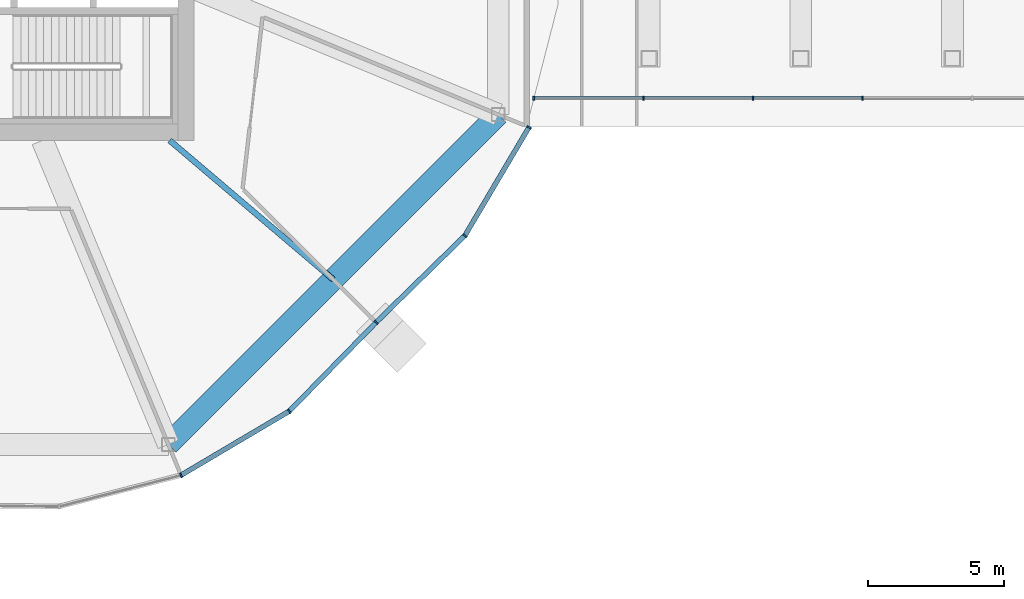
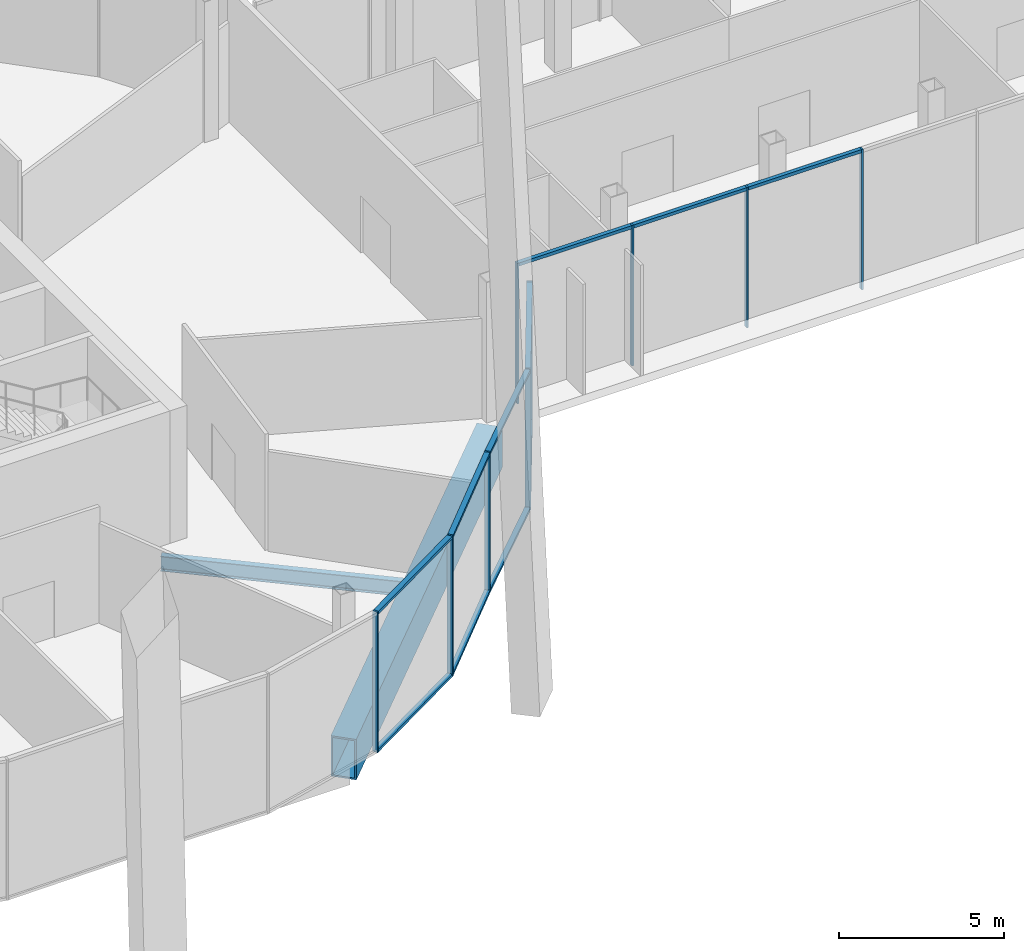
# One storey, part 5 of 28: 20 members, 2 beams, 3 elements without a shape of their own.
"""IFC4 building model written with IfcOpenShell, lengths in metres."""

from ifc_helpers import new_model, si_unit, direction, frame, origin, origin_2d, place, context, subcontext, project, spatial, rectangle, hollow_rectangle, i_section, extrude, material, material_profile, profile_set, type_object, element, aggregate, save


model = new_model("IFC4")

# Units and contexts
model_context = context("Model", 3, precision=1e-05, world=origin(), true_north=direction((0.0, 1.0)))
body_context = subcontext(model_context, "Body", "Model", "MODEL_VIEW")
ifc_project = project(units=[si_unit("LENGTHUNIT", "METRE"), si_unit("AREAUNIT", "SQUARE_METRE"), si_unit("VOLUMEUNIT", "CUBIC_METRE"), si_unit("PLANEANGLEUNIT", "RADIAN"), si_unit("MASSUNIT", "GRAM", prefix="KILO")], contexts=[model_context])

# Site, building, storey
site_placement = place(None, origin())
site = spatial("IfcSite", under=ifc_project, at=site_placement, CompositionType="ELEMENT")
building_placement = place(site_placement, origin())
building = spatial("IfcBuilding", under=site, at=building_placement, Name="Ogive Gate Towers", CompositionType="ELEMENT")
storey_placement = place(building_placement, frame((0.0, 0.0, 135.60009765625)))
storey = spatial("IfcBuildingStorey", under=building, at=storey_placement, Name="L32", CompositionType="ELEMENT", Elevation=135.60009765625)

# Beam
ifc_material_1 = material(Name="Steel SM460", Category="steel")
ifc_material_profile_1 = material_profile(ifc_material_1, hollow_rectangle(XDim=0.800048828125, YDim=1.5, WallThickness=0.06005859375, at=origin_2d()), Name="BX 1500x800x60")
ifc_profile_set_1 = profile_set([ifc_material_profile_1], Name="Steel SM460")
beam_type_1 = type_object("IfcBeamType", Name="Edge girder BX 1500x800x60", PredefinedType="BEAM", material=ifc_profile_set_1)
beam_1_placement = place(storey_placement, frame((-27.450927734375, -20.639404296875, -1.050048828125), z_axis=(0.707106781187, 0.707106781187, 0.0), x_axis=(-0.707106781187, 0.707106781187, 0.0)))
element("IfcBeam", 1, at=beam_1_placement, inside=storey, type_object=beam_type_1, Name="T1/L32/SBM019", PredefinedType="BEAM", context=body_context, shape_type="SweptSolid", body=[
    extrude(hollow_rectangle(XDim=0.800048828125, YDim=1.5, WallThickness=0.06005859375, at=origin_2d()), origin(), (0.0, 0.0, 1.0), 17.098388671875),
])

# Curtain wall, members
ifc_material_2 = material(Name="Pale metal aluminium", Category="aluminium")
curtain_wall_type_1 = type_object("IfcCurtainWallType", Name="Gate block facade", PredefinedType="NOTDEFINED", material=ifc_material_2)
curtain_wall_1_placement = place(storey_placement, origin())
curtain_wall_1 = element("IfcCurtainWall", 2, at=curtain_wall_1_placement, inside=storey, type_object=curtain_wall_type_1, Name="CW3 BR ECW01", PredefinedType="NOTDEFINED")
ifc_material_profile_2 = material_profile(ifc_material_2, rectangle(XDim=0.139892578125, YDim=0.06005859375, at=origin_2d()), Name="60 x 140 aluminium box")
ifc_profile_set_2 = profile_set([ifc_material_profile_2], Name="Pale metal aluminium")
member_type_1 = type_object("IfcMemberType", Name="Gate block facade mullion 60 x 140", PredefinedType="MULLION", material=ifc_profile_set_2)
member_1_placement = place(storey_placement, frame((-14.06005859375, -7.95166015625, -0.300048828125), z_axis=(0.0, 0.0, 1.0), x_axis=(0.0, -1.0, 0.0)))
member_1 = element("IfcMember", 3, at=member_1_placement, type_object=member_type_1, Name="CW3 mullion", PredefinedType="MULLION", context=body_context, shape_type="SweptSolid", body=[
    extrude(rectangle(XDim=0.139892578125, YDim=0.06005859375, at=origin_2d()), origin(), (0.0, 0.0, 1.0), 5.199951171875),
])
member_2_placement = place(storey_placement, frame((-10.04296875, -7.95166015625, -0.300048828125), z_axis=(0.0, 0.0, 1.0), x_axis=(0.0, -1.0, 0.0)))
member_2 = element("IfcMember", 4, at=member_2_placement, type_object=member_type_1, Name="CW3 mullion", PredefinedType="MULLION", context=body_context, shape_type="SweptSolid", body=[
    extrude(rectangle(XDim=0.139892578125, YDim=0.06005859375, at=origin_2d()), origin(), (0.0, 0.0, 1.0), 5.199951171875),
])
member_3_placement = place(storey_placement, frame((-6.025634765625, -7.95166015625, -0.300048828125), z_axis=(0.0, 0.0, 1.0), x_axis=(0.0, -1.0, 0.0)))
member_3 = element("IfcMember", 5, at=member_3_placement, type_object=member_type_1, Name="CW3 mullion", PredefinedType="MULLION", context=body_context, shape_type="SweptSolid", body=[
    extrude(rectangle(XDim=0.139892578125, YDim=0.06005859375, at=origin_2d()), origin(), (0.0, 0.0, 1.0), 5.199951171875),
])
member_4_placement = place(storey_placement, frame((-2.008544921875, -7.95166015625, -0.300048828125), z_axis=(0.0, 0.0, 1.0), x_axis=(0.0, -1.0, 0.0)))
member_4 = element("IfcMember", 6, at=member_4_placement, type_object=member_type_1, Name="CW3 mullion", PredefinedType="MULLION", context=body_context, shape_type="SweptSolid", body=[
    extrude(rectangle(XDim=0.139892578125, YDim=0.06005859375, at=origin_2d()), origin(), (0.0, 0.0, 1.0), 5.199951171875),
])
ifc_material_profile_3 = material_profile(ifc_material_2, rectangle(XDim=0.139892578125, YDim=0.1201171875, at=origin_2d()), Name="120 x 140 aluminium box")
ifc_profile_set_3 = profile_set([ifc_material_profile_3], Name="Pale metal aluminium")
member_type_2 = type_object("IfcMemberType", Name="Gate block facade transom 120 x 140", PredefinedType="USERDEFINED", material=ifc_profile_set_3)
member_5_placement = place(storey_placement, frame((-14.030029296875, -7.95166015625, 4.83984375), z_axis=(1.0, 0.0, 0.0), x_axis=(0.0, 1.0, 0.0)))
member_5 = element("IfcMember", 7, at=member_5_placement, type_object=member_type_2, Name="CW3 transom", ObjectType="TRANSOM", PredefinedType="USERDEFINED", context=body_context, shape_type="SweptSolid", body=[
    extrude(rectangle(XDim=0.139892578125, YDim=0.1201171875, at=origin_2d()), origin(), (0.0, 0.0, 1.0), 3.95703125),
])
member_6_placement = place(storey_placement, frame((-10.012939453125, -7.95166015625, 4.83984375), z_axis=(1.0, 0.0, 0.0), x_axis=(0.0, 1.0, 0.0)))
member_6 = element("IfcMember", 8, at=member_6_placement, type_object=member_type_2, Name="CW3 transom", ObjectType="TRANSOM", PredefinedType="USERDEFINED", context=body_context, shape_type="SweptSolid", body=[
    extrude(rectangle(XDim=0.139892578125, YDim=0.1201171875, at=origin_2d()), origin(), (0.0, 0.0, 1.0), 3.957275390625),
])
member_7_placement = place(storey_placement, frame((-5.99560546875, -7.95166015625, 4.83984375), z_axis=(1.0, 0.0, 0.0), x_axis=(0.0, 1.0, 0.0)))
member_7 = element("IfcMember", 9, at=member_7_placement, type_object=member_type_2, Name="CW3 transom", ObjectType="TRANSOM", PredefinedType="USERDEFINED", context=body_context, shape_type="SweptSolid", body=[
    extrude(rectangle(XDim=0.139892578125, YDim=0.1201171875, at=origin_2d()), origin(), (0.0, 0.0, 1.0), 3.95703125),
])
aggregate(curtain_wall_1, [member_1, member_2, member_5, member_3, member_6, member_4, member_7])

# Beam
ifc_material_3 = material(Name="Steel SM355", Category="steel")
ifc_material_profile_4 = material_profile(ifc_material_3, i_section(OverallWidth=0.2099609375, OverallDepth=0.550048828125, WebThickness=0.010986328125, FlangeThickness=0.01708984375, FilletRadius=0.02392578125, at=origin_2d()), Name="IPE 550")
ifc_profile_set_4 = profile_set([ifc_material_profile_4], Name="Steel SM355")
beam_type_2 = type_object("IfcBeamType", Name="Radial floor beam IPE 550", PredefinedType="BEAM", material=ifc_profile_set_4)
beam_2_placement = place(storey_placement, frame((-27.39990234375, -9.5, -0.5751953125), z_axis=(0.761988324045, -0.647590761222, 0.0), x_axis=(0.647590761222, 0.761988324045, 0.0)))
element("IfcBeam", 10, at=beam_2_placement, inside=storey, type_object=beam_type_2, Name="T1/L32/SBM006", PredefinedType="BEAM", context=body_context, shape_type="SweptSolid", body=[
    extrude(i_section(OverallWidth=0.2099609375, OverallDepth=0.550048828125, WebThickness=0.010986328125, FlangeThickness=0.01708984375, FilletRadius=0.02392578125, at=origin_2d()), origin(), (0.0, 0.0, 1.0), 7.866455078125),
])

# Curtain wall, members
curtain_wall_type_2 = type_object("IfcCurtainWallType", Name="Tower unitised wall, high zone", PredefinedType="NOTDEFINED", material=ifc_material_2)
curtain_wall_2_placement = place(storey_placement, origin())
curtain_wall_2 = element("IfcCurtainWall", 11, at=curtain_wall_2_placement, inside=storey, type_object=curtain_wall_type_2, Name="CW2 T1 ECW07", PredefinedType="NOTDEFINED")
ifc_material_profile_5 = material_profile(ifc_material_2, rectangle(XDim=0.179931640625, YDim=0.06005859375, at=origin_2d()), Name="60 x 180 aluminium box")
ifc_profile_set_5 = profile_set([ifc_material_profile_5], Name="Pale metal aluminium")
member_type_3 = type_object("IfcMemberType", Name="Tower unitised wall, high zone mullion 60 x 180", PredefinedType="MULLION", material=ifc_profile_set_5)
member_8_placement = place(storey_placement, frame((-26.983642578125, -21.767578125, -0.300048828125), z_axis=(0.0, 0.0, 1.0), x_axis=(0.382683432365, -0.923879532511, 0.0)))
member_8 = element("IfcMember", 12, at=member_8_placement, type_object=member_type_3, Name="CW2 mullion", PredefinedType="MULLION", context=body_context, shape_type="SweptSolid", body=[
    extrude(rectangle(XDim=0.179931640625, YDim=0.06005859375, at=origin_2d()), origin(), (0.0, 0.0, 1.0), 5.199951171875),
])
member_9_placement = place(storey_placement, frame((-23.015869140625, -19.419677734375, -0.300048828125), z_axis=(0.0, 0.0, 1.0), x_axis=(0.617585109014, -0.78650405792, 0.0)))
member_9 = element("IfcMember", 13, at=member_9_placement, type_object=member_type_3, Name="CW2 mullion", PredefinedType="MULLION", context=body_context, shape_type="SweptSolid", body=[
    extrude(rectangle(XDim=0.179931640625, YDim=0.06005859375, at=origin_2d()), origin(), (0.0, 0.0, 1.0), 5.199951171875),
])
member_10_placement = place(storey_placement, frame((-19.835693359375, -16.16455078125, -0.300048828125), z_axis=(0.0, 0.0, 1.0), x_axis=(0.715302553421, -0.698814894711, 0.0)))
member_10 = element("IfcMember", 14, at=member_10_placement, type_object=member_type_3, Name="CW2 mullion", PredefinedType="MULLION", context=body_context, shape_type="SweptSolid", body=[
    extrude(rectangle(XDim=0.179931640625, YDim=0.06005859375, at=origin_2d()), origin(), (0.0, 0.0, 1.0), 5.199951171875),
])

curtain_wall_3_placement = place(storey_placement, origin())
curtain_wall_3 = element("IfcCurtainWall", 15, at=curtain_wall_3_placement, inside=storey, type_object=curtain_wall_type_2, Name="CW2 T1 ECW08", PredefinedType="NOTDEFINED")
member_11_placement = place(storey_placement, frame((-16.580322265625, -12.984130859375, -0.300048828125), z_axis=(0.0, 0.0, 1.0), x_axis=(0.78650405792, -0.617585109014, 0.0)))
member_11 = element("IfcMember", 16, at=member_11_placement, type_object=member_type_3, Name="CW2 mullion", PredefinedType="MULLION", context=body_context, shape_type="SweptSolid", body=[
    extrude(rectangle(XDim=0.179931640625, YDim=0.06005859375, at=origin_2d()), origin(), (0.0, 0.0, 1.0), 5.199951171875),
])
member_12_placement = place(storey_placement, frame((-14.231689453125, -9.01513671875, -0.300048828125), z_axis=(0.0, 0.0, 1.0), x_axis=(0.860626507016, -0.509236698817, 0.0)))
member_12 = element("IfcMember", 17, at=member_12_placement, type_object=member_type_3, Name="CW2 mullion", PredefinedType="MULLION", context=body_context, shape_type="SweptSolid", body=[
    extrude(rectangle(XDim=0.179931640625, YDim=0.06005859375, at=origin_2d()), origin(), (0.0, 0.0, 1.0), 5.199951171875),
])

# Member
ifc_material_profile_6 = material_profile(ifc_material_2, rectangle(XDim=0.179931640625, YDim=0.10009765625, at=origin_2d()), Name="100 x 180 aluminium box")
ifc_profile_set_6 = profile_set([ifc_material_profile_6], Name="Pale metal aluminium")
member_type_4 = type_object("IfcMemberType", Name="Tower unitised wall, high zone transom 100 x 180", PredefinedType="USERDEFINED", material=ifc_profile_set_6)
member_13_placement = place(storey_placement, frame((-26.958984375, -21.7529296875, 4.849853515625), z_axis=(0.860623205128, 0.509242279072, 0.0), x_axis=(-0.509242279072, 0.860623205128, 0.0)))
member_13 = element("IfcMember", 18, at=member_13_placement, type_object=member_type_4, Name="CW2 transom", ObjectType="TRANSOM", PredefinedType="USERDEFINED", context=body_context, shape_type="SweptSolid", body=[
    extrude(rectangle(XDim=0.179931640625, YDim=0.10009765625, at=origin_2d()), origin(), (0.0, 0.0, 1.0), 4.552978515625),
])

member_14_placement = place(storey_placement, frame((-26.958984375, -21.7529296875, -0.25), z_axis=(0.860623205128, 0.509242279072, 0.0), x_axis=(-0.509242279072, 0.860623205128, 0.0)))
member_14 = element("IfcMember", 19, at=member_14_placement, type_object=member_type_4, Name="CW2 transom", ObjectType="TRANSOM", PredefinedType="USERDEFINED", context=body_context, shape_type="SweptSolid", body=[
    extrude(rectangle(XDim=0.179931640625, YDim=0.10009765625, at=origin_2d()), origin(), (0.0, 0.0, 1.0), 4.552978515625),
])

member_15_placement = place(storey_placement, frame((-22.995849609375, -19.399169921875, 4.849853515625), z_axis=(0.698824901498, 0.715292777152, 0.0), x_axis=(-0.715292777152, 0.698824901498, 0.0)))
member_15 = element("IfcMember", 20, at=member_15_placement, type_object=member_type_4, Name="CW2 transom", ObjectType="TRANSOM", PredefinedType="USERDEFINED", context=body_context, shape_type="SweptSolid", body=[
    extrude(rectangle(XDim=0.179931640625, YDim=0.10009765625, at=origin_2d()), origin(), (0.0, 0.0, 1.0), 4.491943359375),
])

member_16_placement = place(storey_placement, frame((-22.995849609375, -19.399169921875, -0.25), z_axis=(0.698824901498, 0.715292777152, 0.0), x_axis=(-0.715292777152, 0.698824901498, 0.0)))
member_16 = element("IfcMember", 21, at=member_16_placement, type_object=member_type_4, Name="CW2 transom", ObjectType="TRANSOM", PredefinedType="USERDEFINED", context=body_context, shape_type="SweptSolid", body=[
    extrude(rectangle(XDim=0.179931640625, YDim=0.10009765625, at=origin_2d()), origin(), (0.0, 0.0, 1.0), 4.491943359375),
])

aggregate(curtain_wall_2, [member_8, member_9, member_13, member_14, member_10, member_15, member_16])

member_17_placement = place(storey_placement, frame((-19.81396484375, -16.143310546875, 4.849853515625), z_axis=(0.715292777152, 0.698824901498, 0.0), x_axis=(-0.698824901498, 0.715292777152, 0.0)))
member_17 = element("IfcMember", 22, at=member_17_placement, type_object=member_type_4, Name="CW2 transom", ObjectType="TRANSOM", PredefinedType="USERDEFINED", context=body_context, shape_type="SweptSolid", body=[
    extrude(rectangle(XDim=0.179931640625, YDim=0.10009765625, at=origin_2d()), origin(), (0.0, 0.0, 1.0), 4.491943359375),
])

member_18_placement = place(storey_placement, frame((-19.81396484375, -16.143310546875, -0.25), z_axis=(0.715292777152, 0.698824901498, 0.0), x_axis=(-0.698824901498, 0.715292777152, 0.0)))
member_18 = element("IfcMember", 23, at=member_18_placement, type_object=member_type_4, Name="CW2 transom", ObjectType="TRANSOM", PredefinedType="USERDEFINED", context=body_context, shape_type="SweptSolid", body=[
    extrude(rectangle(XDim=0.179931640625, YDim=0.10009765625, at=origin_2d()), origin(), (0.0, 0.0, 1.0), 4.491943359375),
])

member_19_placement = place(storey_placement, frame((-16.565673828125, -12.95947265625, 4.849853515625), z_axis=(0.509242279072, 0.860623205128, 0.0), x_axis=(-0.860623205128, 0.509242279072, 0.0)))
member_19 = element("IfcMember", 24, at=member_19_placement, type_object=member_type_4, Name="CW2 transom", ObjectType="TRANSOM", PredefinedType="USERDEFINED", context=body_context, shape_type="SweptSolid", body=[
    extrude(rectangle(XDim=0.179931640625, YDim=0.10009765625, at=origin_2d()), origin(), (0.0, 0.0, 1.0), 4.552978515625),
])

member_20_placement = place(storey_placement, frame((-16.565673828125, -12.95947265625, -0.25), z_axis=(0.509242279072, 0.860623205128, 0.0), x_axis=(-0.860623205128, 0.509242279072, 0.0)))
member_20 = element("IfcMember", 25, at=member_20_placement, type_object=member_type_4, Name="CW2 transom", ObjectType="TRANSOM", PredefinedType="USERDEFINED", context=body_context, shape_type="SweptSolid", body=[
    extrude(rectangle(XDim=0.179931640625, YDim=0.10009765625, at=origin_2d()), origin(), (0.0, 0.0, 1.0), 4.552978515625),
])

aggregate(curtain_wall_3, [member_11, member_17, member_18, member_12, member_19, member_20])

save(model, "model.ifc")
